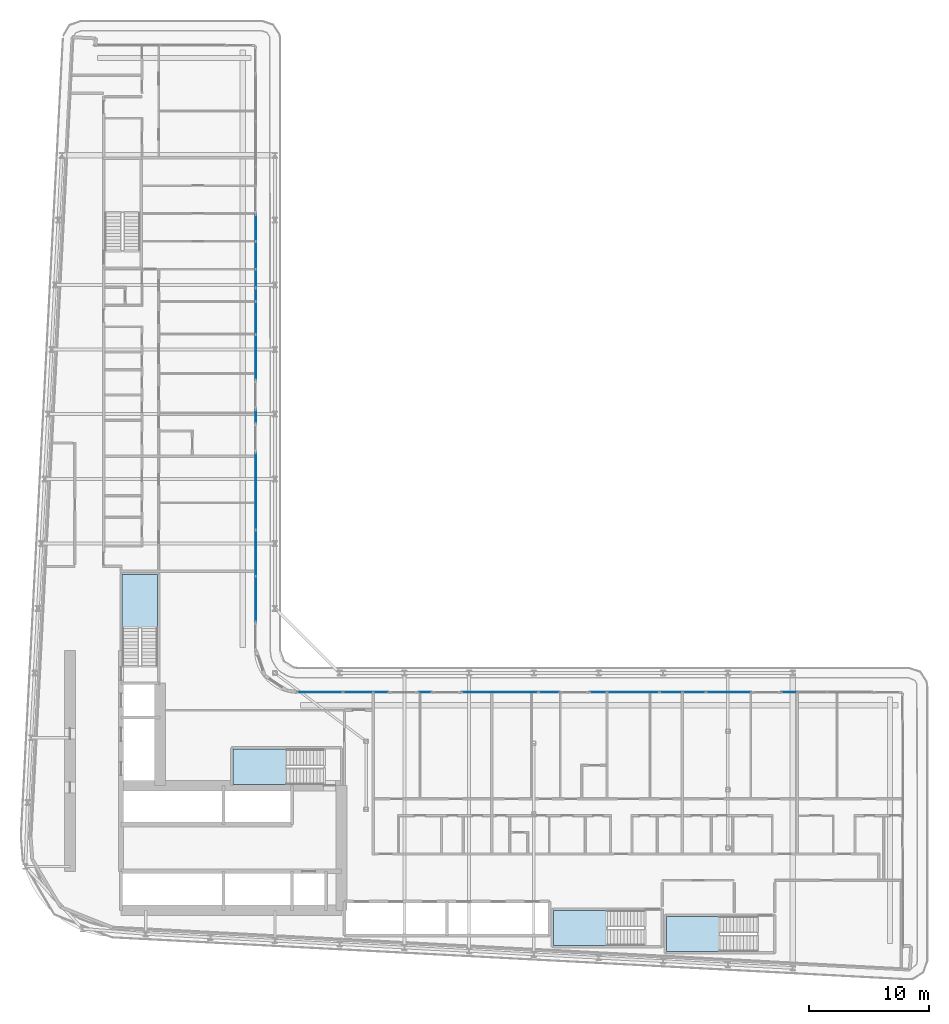
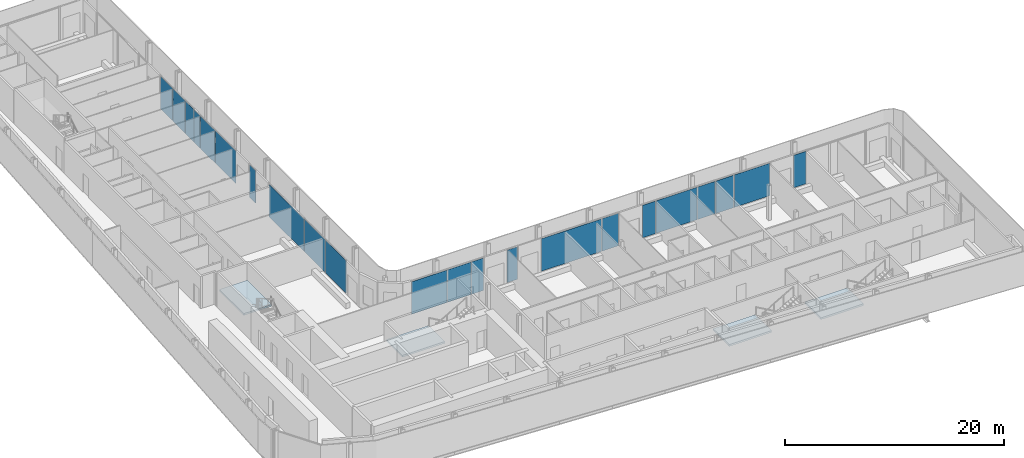
# One storey, part 10 of 28: 22 plates, 4 slabs, 16 elements without a shape of their own.
"""IFC4 building model written with IfcOpenShell, lengths in metres."""

from ifc_helpers import new_model, si_unit, direction, frame, origin, origin_2d, place, context, subcontext, project, spatial, polyline, rectangle, outline, extrude, material, layer, layer_set, type_object, element, aggregate, save


model = new_model("IFC4")

# Units and contexts
model_context = context("Model", 3, precision=1e-05, world=origin(), true_north=direction((0.0, 1.0)))
body_context = subcontext(model_context, "Body", "Model", "MODEL_VIEW")
ifc_project = project(units=[si_unit("LENGTHUNIT", "METRE"), si_unit("AREAUNIT", "SQUARE_METRE"), si_unit("VOLUMEUNIT", "CUBIC_METRE"), si_unit("PLANEANGLEUNIT", "RADIAN"), si_unit("MASSUNIT", "GRAM", prefix="KILO")], contexts=[model_context])

# Site, building, storey
site_placement = place(None, origin())
site = spatial("IfcSite", under=ifc_project, at=site_placement, CompositionType="ELEMENT")
building_placement = place(site_placement, origin())
building = spatial("IfcBuilding", under=site, at=building_placement, Name="Kheshtan School and Residences Tower", CompositionType="ELEMENT")
storey_placement = place(building_placement, frame((0.0, 0.0, 125.300048828125)))
storey = spatial("IfcBuildingStorey", under=building, at=storey_placement, Name="L29", CompositionType="ELEMENT", Elevation=125.300048828125)

# Curtain wall, plates
ifc_material_1 = material(Name="Clear low-e glass in thermally broken aluminium frame", Category="aluminium")
ifc_layer_1 = layer(ifc_material_1, 0.199951171875)
ifc_layer_set_1 = layer_set([ifc_layer_1], Name="Curtain wall CW-L")
curtain_wall_type = type_object("IfcCurtainWallType", Name="Curtain wall CW-L", PredefinedType="NOTDEFINED", material=ifc_layer_set_1)
curtain_wall_1_placement = place(storey_placement, origin())
curtain_wall_1 = element("IfcCurtainWall", 1, at=curtain_wall_1_placement, inside=storey, type_object=curtain_wall_type, Name="Curtain wall CWL8b", PredefinedType="NOTDEFINED")
ifc_layer_2 = layer(ifc_material_1, 0.031982421875)
ifc_layer_set_2 = layer_set([ifc_layer_2], Name="CW-L glass panel")
plate_type = type_object("IfcPlateType", Name="CW-L glass panel", PredefinedType="CURTAIN_PANEL", material=ifc_layer_set_2)
plate_1_placement = place(storey_placement, frame((46.0, 82.75048828125, 0.0), z_axis=(0.0, 0.0, 1.0), x_axis=(0.0, -1.0, 0.0)))
plate_1 = element("IfcPlate", 2, at=plate_1_placement, type_object=plate_type, Name="CWL8b panel 1.1", PredefinedType="CURTAIN_PANEL", context=body_context, shape_type="SweptSolid", body=[
    extrude(rectangle(XDim=2.19091796875, YDim=0.031982421875, at=origin_2d()), origin(), (0.0, 0.0, 1.0), 3.6298828125),
])
plate_2_placement = place(storey_placement, frame((46.0, 80.46240234375, 0.0), z_axis=(0.0, 0.0, 1.0), x_axis=(0.0, -1.0, 0.0)))
plate_2 = element("IfcPlate", 3, at=plate_2_placement, type_object=plate_type, Name="CWL8b panel 2.1", PredefinedType="CURTAIN_PANEL", context=body_context, shape_type="SweptSolid", body=[
    extrude(rectangle(XDim=2.264892578125, YDim=0.031982421875, at=origin_2d()), origin(), (0.0, 0.0, 1.0), 3.6298828125),
])
plate_3_placement = place(storey_placement, frame((46.0, 78.52099609375, 0.0), z_axis=(0.0, 0.0, 1.0), x_axis=(0.0, -1.0, 0.0)))
plate_3 = element("IfcPlate", 4, at=plate_3_placement, type_object=plate_type, Name="CWL8b panel 3.1", PredefinedType="CURTAIN_PANEL", context=body_context, shape_type="SweptSolid", body=[
    extrude(rectangle(XDim=1.498046875, YDim=0.031982421875, at=origin_2d()), origin(), (0.0, 0.0, 1.0), 3.6298828125),
])
aggregate(curtain_wall_1, [plate_1, plate_2, plate_3])

curtain_wall_2_placement = place(storey_placement, origin())
curtain_wall_2 = element("IfcCurtainWall", 5, at=curtain_wall_2_placement, inside=storey, type_object=curtain_wall_type, Name="Curtain wall CWL8c", PredefinedType="NOTDEFINED")
plate_4_placement = place(storey_placement, frame((46.0, 77.1708984375, 0.0), z_axis=(0.0, 0.0, 1.0), x_axis=(0.0, -1.0, 0.0)))
plate_4 = element("IfcPlate", 6, at=plate_4_placement, type_object=plate_type, Name="CWL8c panel 1.1", PredefinedType="CURTAIN_PANEL", context=body_context, shape_type="SweptSolid", body=[
    extrude(rectangle(XDim=1.08203125, YDim=0.031982421875, at=origin_2d()), origin(), (0.0, 0.0, 1.0), 3.6298828125),
])
plate_5_placement = place(storey_placement, frame((46.0, 75.232421875, 0.0), z_axis=(0.0, 0.0, 1.0), x_axis=(0.0, -1.0, 0.0)))
plate_5 = element("IfcPlate", 7, at=plate_5_placement, type_object=plate_type, Name="CWL8c panel 2.1", PredefinedType="CURTAIN_PANEL", context=body_context, shape_type="SweptSolid", body=[
    extrude(rectangle(XDim=2.675048828125, YDim=0.031982421875, at=origin_2d()), origin(), (0.0, 0.0, 1.0), 3.6298828125),
])
plate_6_placement = place(storey_placement, frame((46.0, 71.95654296875, 0.0), z_axis=(0.0, 0.0, 1.0), x_axis=(0.0, -1.0, 0.0)))
plate_6 = element("IfcPlate", 8, at=plate_6_placement, type_object=plate_type, Name="CWL8c panel 3.1", PredefinedType="CURTAIN_PANEL", context=body_context, shape_type="SweptSolid", body=[
    extrude(rectangle(XDim=3.757080078125, YDim=0.031982421875, at=origin_2d()), origin(), (0.0, 0.0, 1.0), 3.6298828125),
])
aggregate(curtain_wall_2, [plate_4, plate_5, plate_6])

# Curtain wall, plate
curtain_wall_3_placement = place(storey_placement, origin())
curtain_wall_3 = element("IfcCurtainWall", 9, at=curtain_wall_3_placement, inside=storey, type_object=curtain_wall_type, Name="Curtain wall CWL8g", PredefinedType="NOTDEFINED")
plate_7_placement = place(storey_placement, frame((46.0, 67.01806640625, 0.0), z_axis=(0.0, 0.0, 1.0), x_axis=(0.0, -1.0, 0.0)))
plate_7 = element("IfcPlate", 10, at=plate_7_placement, type_object=plate_type, Name="CWL8g panel 1.1", PredefinedType="CURTAIN_PANEL", context=body_context, shape_type="SweptSolid", body=[
    extrude(rectangle(XDim=1.080078125, YDim=0.031982421875, at=origin_2d()), origin(), (0.0, 0.0, 1.0), 3.6298828125),
])
aggregate(curtain_wall_3, [plate_7])

curtain_wall_4_placement = place(storey_placement, origin())
curtain_wall_4 = element("IfcCurtainWall", 11, at=curtain_wall_4_placement, inside=storey, type_object=curtain_wall_type, Name="Curtain wall CWL8h", PredefinedType="NOTDEFINED")
plate_8_placement = place(storey_placement, frame((46.0, 60.77099609375, 0.0), z_axis=(0.0, 0.0, 1.0), x_axis=(0.0, -1.0, 0.0)))
plate_8 = element("IfcPlate", 12, at=plate_8_placement, type_object=plate_type, Name="CWL8h panel 1.1", PredefinedType="CURTAIN_PANEL", context=body_context, shape_type="SweptSolid", body=[
    extrude(rectangle(XDim=6.3740234375, YDim=0.031982421875, at=origin_2d()), origin(), (0.0, 0.0, 1.0), 3.6298828125),
])
aggregate(curtain_wall_4, [plate_8])

# Curtain wall, plates
curtain_wall_5_placement = place(storey_placement, origin())
curtain_wall_5 = element("IfcCurtainWall", 13, at=curtain_wall_5_placement, inside=storey, type_object=curtain_wall_type, Name="Curtain wall CWL8", PredefinedType="NOTDEFINED")
plate_9_placement = place(storey_placement, frame((46.0, 55.615478515625, 0.0), z_axis=(0.0, 0.0, 1.0), x_axis=(0.0, -1.0, 0.0)))
plate_9 = element("IfcPlate", 14, at=plate_9_placement, type_object=plate_type, Name="CWL8 panel 1.1", PredefinedType="CURTAIN_PANEL", context=body_context, shape_type="SweptSolid", body=[
    extrude(rectangle(XDim=3.81689453125, YDim=0.031982421875, at=origin_2d()), origin(), (0.0, 0.0, 1.0), 3.6298828125),
])
plate_10_placement = place(storey_placement, frame((46.0, 51.7685546875, 0.0), z_axis=(0.0, 0.0, 1.0), x_axis=(0.0, -1.0, 0.0)))
plate_10 = element("IfcPlate", 15, at=plate_10_placement, type_object=plate_type, Name="CWL8 panel 2.1", PredefinedType="CURTAIN_PANEL", context=body_context, shape_type="SweptSolid", body=[
    extrude(rectangle(XDim=3.757080078125, YDim=0.031982421875, at=origin_2d()), origin(), (0.0, 0.0, 1.0), 3.6298828125),
])
aggregate(curtain_wall_5, [plate_9, plate_10])

curtain_wall_6_placement = place(storey_placement, origin())
curtain_wall_6 = element("IfcCurtainWall", 16, at=curtain_wall_6_placement, inside=storey, type_object=curtain_wall_type, Name="Curtain wall CWL12k", PredefinedType="NOTDEFINED")
plate_11_placement = place(storey_placement, frame((51.368408203125, 44.0, 0.0), z_axis=(0.0, 0.0, 1.0), x_axis=(1.0, 0.0, 0.0)))
plate_11 = element("IfcPlate", 17, at=plate_11_placement, type_object=plate_type, Name="CWL12k panel 1.1", PredefinedType="CURTAIN_PANEL", context=body_context, shape_type="SweptSolid", body=[
    extrude(rectangle(XDim=3.757080078125, YDim=0.031982421875, at=origin_2d()), origin(), (0.0, 0.0, 1.0), 3.6298828125),
])
plate_12_placement = place(storey_placement, frame((54.53857421875, 44.0, 0.0), z_axis=(0.0, 0.0, 1.0), x_axis=(1.0, 0.0, 0.0)))
plate_12 = element("IfcPlate", 18, at=plate_12_placement, type_object=plate_type, Name="CWL12k panel 2.1", PredefinedType="CURTAIN_PANEL", context=body_context, shape_type="SweptSolid", body=[
    extrude(rectangle(XDim=2.462890625, YDim=0.031982421875, at=origin_2d()), origin(), (0.0, 0.0, 1.0), 3.6298828125),
])
plate_13_placement = place(storey_placement, frame((56.447021484375, 44.0, 0.0), z_axis=(0.0, 0.0, 1.0), x_axis=(1.0, 0.0, 0.0)))
plate_13 = element("IfcPlate", 19, at=plate_13_placement, type_object=plate_type, Name="CWL12k panel 3.1", PredefinedType="CURTAIN_PANEL", context=body_context, shape_type="SweptSolid", body=[
    extrude(rectangle(XDim=1.23388671875, YDim=0.031982421875, at=origin_2d()), origin(), (0.0, 0.0, 1.0), 3.6298828125),
])
aggregate(curtain_wall_6, [plate_11, plate_12, plate_13])

# Curtain wall, plate
curtain_wall_7_placement = place(storey_placement, origin())
curtain_wall_7 = element("IfcCurtainWall", 20, at=curtain_wall_7_placement, inside=storey, type_object=curtain_wall_type, Name="Curtain wall CWL12b", PredefinedType="NOTDEFINED")
plate_14_placement = place(storey_placement, frame((60.1240234375, 44.0, 0.0), z_axis=(0.0, 0.0, 1.0), x_axis=(1.0, 0.0, 0.0)))
plate_14 = element("IfcPlate", 21, at=plate_14_placement, type_object=plate_type, Name="CWL12b panel 1.1", PredefinedType="CURTAIN_PANEL", context=body_context, shape_type="SweptSolid", body=[
    extrude(rectangle(XDim=1.080078125, YDim=0.031982421875, at=origin_2d()), origin(), (0.0, 0.0, 1.0), 3.6298828125),
])
aggregate(curtain_wall_7, [plate_14])

curtain_wall_8_placement = place(storey_placement, origin())
curtain_wall_8 = element("IfcCurtainWall", 22, at=curtain_wall_8_placement, inside=storey, type_object=curtain_wall_type, Name="Curtain wall CWL12s", PredefinedType="NOTDEFINED")
plate_15_placement = place(storey_placement, frame((66.37109375, 44.0, 0.0), z_axis=(0.0, 0.0, 1.0), x_axis=(1.0, 0.0, 0.0)))
plate_15 = element("IfcPlate", 23, at=plate_15_placement, type_object=plate_type, Name="CWL12s panel 1.1", PredefinedType="CURTAIN_PANEL", context=body_context, shape_type="SweptSolid", body=[
    extrude(rectangle(XDim=6.3740234375, YDim=0.031982421875, at=origin_2d()), origin(), (0.0, 0.0, 1.0), 3.6298828125),
])
aggregate(curtain_wall_8, [plate_15])

curtain_wall_9_placement = place(storey_placement, origin())
curtain_wall_9 = element("IfcCurtainWall", 24, at=curtain_wall_9_placement, inside=storey, type_object=curtain_wall_type, Name="Curtain wall CWL12q", PredefinedType="NOTDEFINED")
plate_16_placement = place(storey_placement, frame((70.488037109375, 44.0, 0.0), z_axis=(0.0, 0.0, 1.0), x_axis=(1.0, 0.0, 0.0)))
plate_16 = element("IfcPlate", 25, at=plate_16_placement, type_object=plate_type, Name="CWL12q panel 1.1", PredefinedType="CURTAIN_PANEL", context=body_context, shape_type="SweptSolid", body=[
    extrude(rectangle(XDim=1.739990234375, YDim=0.031982421875, at=origin_2d()), origin(), (0.0, 0.0, 1.0), 3.6298828125),
])
aggregate(curtain_wall_9, [plate_16])

# Curtain wall, plates
curtain_wall_10_placement = place(storey_placement, origin())
curtain_wall_10 = element("IfcCurtainWall", 26, at=curtain_wall_10_placement, inside=storey, type_object=curtain_wall_type, Name="Curtain wall CWL12t", PredefinedType="NOTDEFINED")
plate_17_placement = place(storey_placement, frame((74.573974609375, 44.0, 0.0), z_axis=(0.0, 0.0, 1.0), x_axis=(1.0, 0.0, 0.0)))
plate_17 = element("IfcPlate", 27, at=plate_17_placement, type_object=plate_type, Name="CWL12t panel 1.1", PredefinedType="CURTAIN_PANEL", context=body_context, shape_type="SweptSolid", body=[
    extrude(rectangle(XDim=1.39208984375, YDim=0.031982421875, at=origin_2d()), origin(), (0.0, 0.0, 1.0), 3.6298828125),
])
plate_18_placement = place(storey_placement, frame((77.490966796875, 44.0, 0.0), z_axis=(0.0, 0.0, 1.0), x_axis=(1.0, 0.0, 0.0)))
plate_18 = element("IfcPlate", 28, at=plate_18_placement, type_object=plate_type, Name="CWL12t panel 2.1", PredefinedType="CURTAIN_PANEL", context=body_context, shape_type="SweptSolid", body=[
    extrude(rectangle(XDim=4.322021484375, YDim=0.031982421875, at=origin_2d()), origin(), (0.0, 0.0, 1.0), 3.6298828125),
])
aggregate(curtain_wall_10, [plate_17, plate_18])

curtain_wall_11_placement = place(storey_placement, origin())
curtain_wall_11 = element("IfcCurtainWall", 29, at=curtain_wall_11_placement, inside=storey, type_object=curtain_wall_type, Name="Curtain wall CWL12k", PredefinedType="NOTDEFINED")
plate_19_placement = place(storey_placement, frame((80.64111328125, 44.0, 0.0), z_axis=(0.0, 0.0, 1.0), x_axis=(1.0, 0.0, 0.0)))
plate_19 = element("IfcPlate", 30, at=plate_19_placement, type_object=plate_type, Name="CWL12k panel 1.1", PredefinedType="CURTAIN_PANEL", context=body_context, shape_type="SweptSolid", body=[
    extrude(rectangle(XDim=1.85791015625, YDim=0.031982421875, at=origin_2d()), origin(), (0.0, 0.0, 1.0), 3.6298828125),
])
plate_20_placement = place(storey_placement, frame((82.57958984375, 44.0, 0.0), z_axis=(0.0, 0.0, 1.0), x_axis=(1.0, 0.0, 0.0)))
plate_20 = element("IfcPlate", 31, at=plate_20_placement, type_object=plate_type, Name="CWL12k panel 2.1", PredefinedType="CURTAIN_PANEL", context=body_context, shape_type="SweptSolid", body=[
    extrude(rectangle(XDim=1.89892578125, YDim=0.031982421875, at=origin_2d()), origin(), (0.0, 0.0, 1.0), 3.6298828125),
])
plate_21_placement = place(storey_placement, frame((85.467529296875, 44.0, 0.0), z_axis=(0.0, 0.0, 1.0), x_axis=(1.0, 0.0, 0.0)))
plate_21 = element("IfcPlate", 32, at=plate_21_placement, type_object=plate_type, Name="CWL12k panel 3.1", PredefinedType="CURTAIN_PANEL", context=body_context, shape_type="SweptSolid", body=[
    extrude(rectangle(XDim=3.757080078125, YDim=0.031982421875, at=origin_2d()), origin(), (0.0, 0.0, 1.0), 3.6298828125),
])
aggregate(curtain_wall_11, [plate_19, plate_20, plate_21])

# Curtain wall, plate
curtain_wall_12_placement = place(storey_placement, origin())
curtain_wall_12 = element("IfcCurtainWall", 33, at=curtain_wall_12_placement, inside=storey, type_object=curtain_wall_type, Name="Curtain wall CWL12k", PredefinedType="NOTDEFINED")
plate_22_placement = place(storey_placement, frame((90.51806640625, 44.0, 0.0), z_axis=(0.0, 0.0, 1.0), x_axis=(1.0, 0.0, 0.0)))
plate_22 = element("IfcPlate", 34, at=plate_22_placement, type_object=plate_type, Name="CWL12k panel 1.1", PredefinedType="CURTAIN_PANEL", context=body_context, shape_type="SweptSolid", body=[
    extrude(rectangle(XDim=1.303955078125, YDim=0.031982421875, at=origin_2d()), origin(), (0.0, 0.0, 1.0), 3.6298828125),
])
aggregate(curtain_wall_12, [plate_22])

# Stair, slab
ifc_material_2 = material(Name="Concrete C40/50", Category="concrete")
stair_type = type_object("IfcStairType", Name="Exit stair, half-turn", PredefinedType="HALF_TURN_STAIR", material=ifc_material_2)
stair_1_placement = place(storey_placement, origin())
stair_1 = element("IfcStair", 35, at=stair_1_placement, inside=storey, type_object=stair_type, Name="L29 Protected Exit Stair ST1", PredefinedType="HALF_TURN_STAIR")
ifc_layer_3 = layer(ifc_material_2, 0.199951171875)
ifc_layer_set_3 = layer_set([ifc_layer_3], Name="Stair landing 200 Concrete C40/50")
slab_type = type_object("IfcSlabType", Name="Stair landing 200 Concrete C40/50", PredefinedType="LANDING", material=ifc_layer_set_3)
slab_1_placement = place(storey_placement, frame((0.0, 0.0, 1.75)))
slab_1 = element("IfcSlab", 36, at=slab_1_placement, type_object=slab_type, Name="ST1 landing 1", PredefinedType="LANDING", context=body_context, shape_type="SweptSolid", body=[
    extrude(outline(polyline([(48.570068359375, 39.25), (44.090087890625, 39.25), (44.090087890625, 36.300048828125), (48.570068359375, 36.300048828125), (48.570068359375, 39.25)])), origin(), (0.0, 0.0, 1.0), 0.199951171875),
])
aggregate(stair_1, [slab_1])

stair_2_placement = place(storey_placement, origin())
stair_2 = element("IfcStair", 37, at=stair_2_placement, inside=storey, type_object=stair_type, Name="L29 Protected Exit Stair ST2", PredefinedType="HALF_TURN_STAIR")
slab_2_placement = place(storey_placement, frame((0.0, 0.0, 1.75)))
slab_2 = element("IfcSlab", 38, at=slab_2_placement, type_object=slab_type, Name="ST2 landing 1", PredefinedType="LANDING", context=body_context, shape_type="SweptSolid", body=[
    extrude(outline(polyline([(37.800048828125, 49.330078125), (37.800048828125, 53.81005859375), (34.85009765625, 53.81005859375), (34.85009765625, 49.330078125), (37.800048828125, 49.330078125)])), origin(), (0.0, 0.0, 1.0), 0.199951171875),
])
aggregate(stair_2, [slab_2])

stair_3_placement = place(storey_placement, origin())
stair_3 = element("IfcStair", 39, at=stair_3_placement, inside=storey, type_object=stair_type, Name="L29 Protected Exit Stair ST4", PredefinedType="HALF_TURN_STAIR")
slab_3_placement = place(storey_placement, frame((0.0, 0.0, 1.75)))
slab_3 = element("IfcSlab", 40, at=slab_3_placement, type_object=slab_type, Name="ST4 landing 1", PredefinedType="LANDING", context=body_context, shape_type="SweptSolid", body=[
    extrude(outline(polyline([(84.739990234375, 25.300048828125), (80.260009765625, 25.300048828125), (80.260009765625, 22.35009765625), (84.739990234375, 22.35009765625), (84.739990234375, 25.300048828125)])), origin(), (0.0, 0.0, 1.0), 0.199951171875),
])
aggregate(stair_3, [slab_3])

stair_4_placement = place(storey_placement, origin())
stair_4 = element("IfcStair", 41, at=stair_4_placement, inside=storey, type_object=stair_type, Name="L29 Protected Exit Stair ST5", PredefinedType="HALF_TURN_STAIR")
slab_4_placement = place(storey_placement, frame((0.0, 0.0, 1.75)))
slab_4 = element("IfcSlab", 42, at=slab_4_placement, type_object=slab_type, Name="ST5 landing 1", PredefinedType="LANDING", context=body_context, shape_type="SweptSolid", body=[
    extrude(outline(polyline([(75.330078125, 25.800048828125), (70.85009765625, 25.800048828125), (70.85009765625, 22.85009765625), (75.330078125, 22.85009765625), (75.330078125, 25.800048828125)])), origin(), (0.0, 0.0, 1.0), 0.199951171875),
])
aggregate(stair_4, [slab_4])

save(model, "model.ifc")
